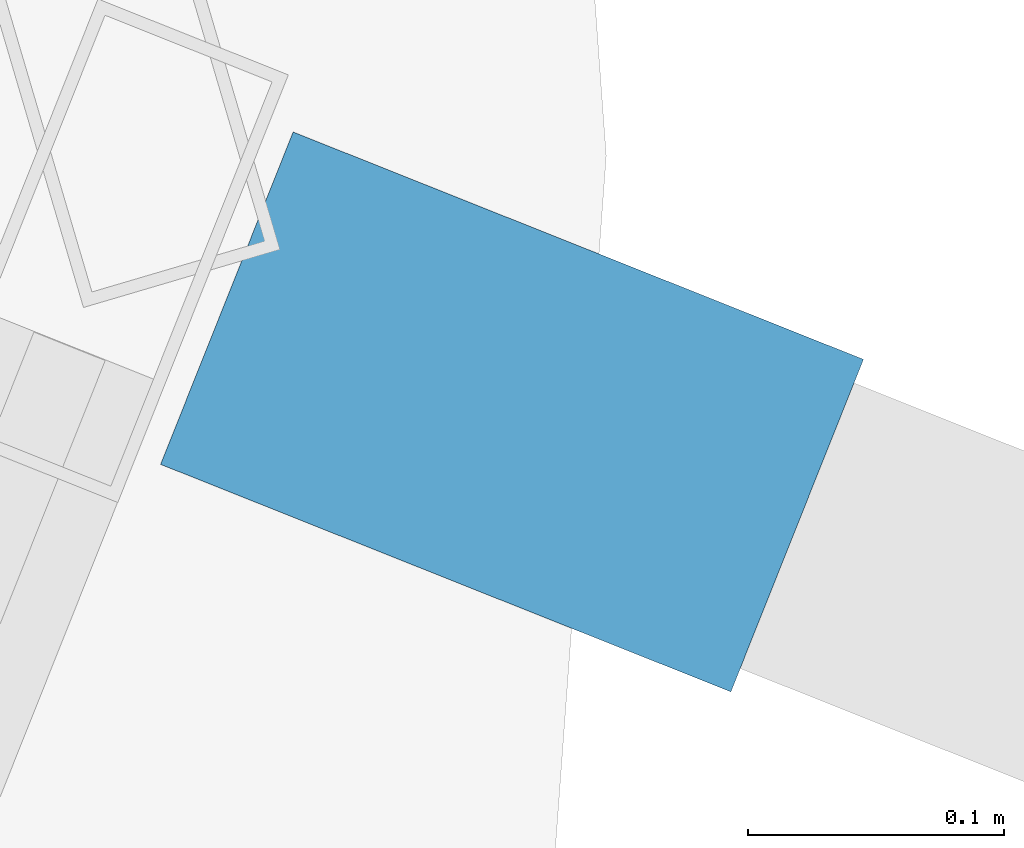
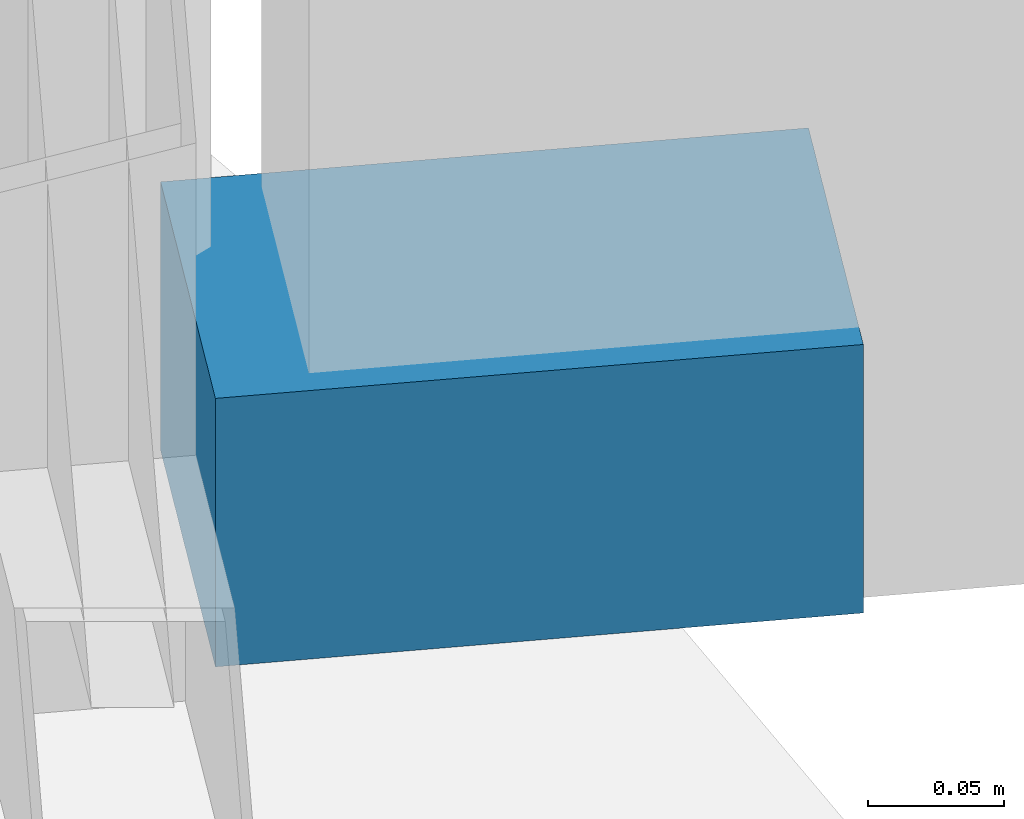
# One storey, part 30 of 34: 1 discrete accessory.
"""IFC4 building model written with IfcOpenShell, lengths in metres."""

from ifc_helpers import new_model, si_unit, direction, frame, origin, origin_2d, place, context, subcontext, project, spatial, rectangle, extrude, material, type_object, element, save


model = new_model("IFC4")

# Units and contexts
model_context = context("Model", 3, precision=1e-05, world=origin(), true_north=direction((0.0, 1.0)))
body_context = subcontext(model_context, "Body", "Model", "MODEL_VIEW")
ifc_project = project(units=[si_unit("LENGTHUNIT", "METRE"), si_unit("AREAUNIT", "SQUARE_METRE"), si_unit("VOLUMEUNIT", "CUBIC_METRE"), si_unit("PLANEANGLEUNIT", "RADIAN"), si_unit("MASSUNIT", "GRAM", prefix="KILO")], contexts=[model_context])

# Site, building, storey
site_placement = place(None, origin())
site = spatial("IfcSite", under=ifc_project, at=site_placement, CompositionType="ELEMENT")
building_placement = place(site_placement, origin())
building = spatial("IfcBuilding", under=site, at=building_placement, Name="Kazevale Care Tower and Concert Hall", CompositionType="ELEMENT")
storey_placement = place(building_placement, frame((0.0, 0.0, 67.199951171875)))
storey = spatial("IfcBuildingStorey", under=building, at=storey_placement, Name="L17", CompositionType="ELEMENT", Elevation=67.199951171875)

# Discrete accessory
ifc_material = material(Name="Stainless Steel 316", Category="steel")
discrete_accessory_type = type_object("IfcDiscreteAccessoryType", Name="Facade Fin Stainless Anchor Bracket BRK-1", PredefinedType="BRACKET", material=ifc_material)
discrete_accessory_placement = place(storey_placement, frame((80.76318359375, 37.89990234375, 0.0), z_axis=(0.0, 0.0, 1.0), x_axis=(0.928874213199, -0.370395324019, 0.0)))
element("IfcDiscreteAccessory", 1, at=discrete_accessory_placement, inside=storey, type_object=discrete_accessory_type, Name="cw:L17:f01:brk", PredefinedType="BRACKET", context=body_context, shape_type="SweptSolid", body=[
    extrude(rectangle(XDim=0.239990234375, YDim=0.139892578125, at=origin_2d()), origin(), (0.0, 0.0, 1.0), 0.1201171875),
])

save(model, "model.ifc")
